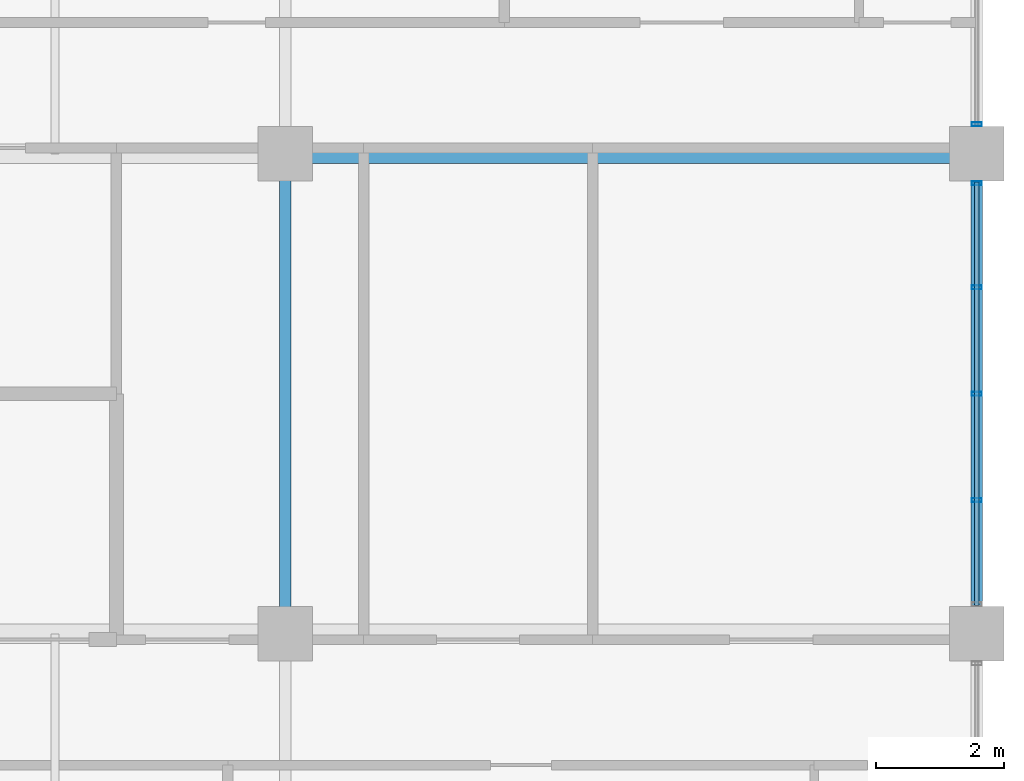
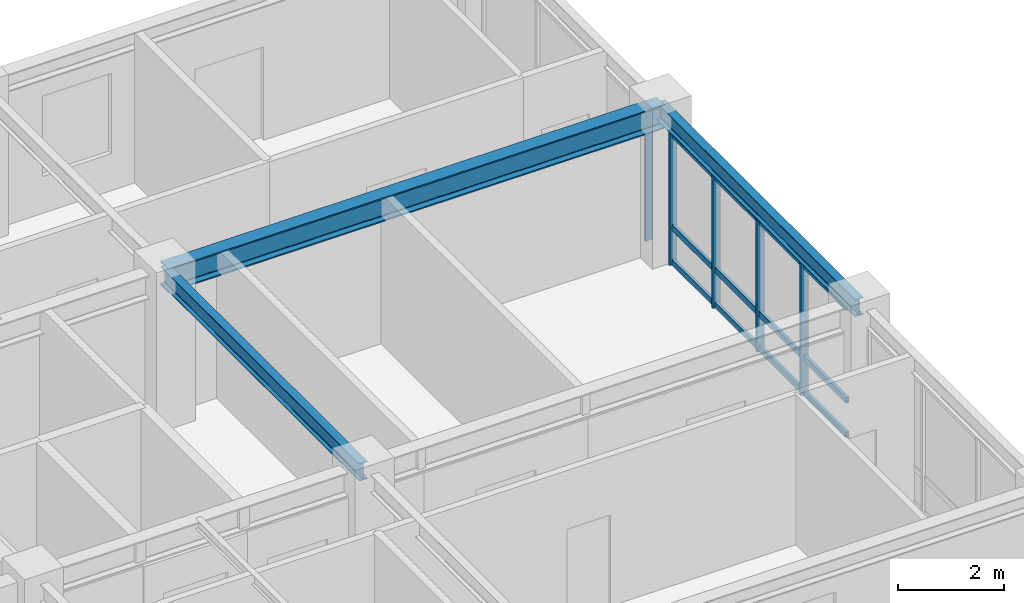
# One storey, part 3 of 10: 8 members, 3 beams, 2 elements without a shape of their own.
"""IFC4 building model written with IfcOpenShell, lengths in metres."""

import ifcopenshell
import ifcopenshell.guid

model = None  # the IFC model being written
_history = None  # IfcOwnerHistory: only IFC2X3 demands one
_inside = {}  # id of a spatial element -> (the spatial element, [elements in it])
_under = {}  # id of a project, library or spatial element -> (it, [spatial elements below it])
_declared = {}  # id of a project -> (the project, [libraries it declares])
_typed = {}  # id of a type object -> (the type object, [elements of that type])
_made_of = {}  # id of a material, layer set ... -> (it, [elements and type objects made of it])


def new_model(schema):
    """Start an empty IFC model of exactly this schema.

    Asked for "IFC4X3", IfcOpenShell would pick the latest addendum, in which some entities
    have other attributes; the version numbers below select the first issue.
    IFC2X3 requires an IfcOwnerHistory on every rooted entity: one is made here for all.
    """
    global model, _history
    if schema == "IFC4X3":
        model = ifcopenshell.file(schema_version=(4, 3, 0, 0))
    else:
        model = ifcopenshell.file(schema=schema)
    _inside.clear()
    _under.clear()
    _declared.clear()
    _typed.clear()
    _made_of.clear()
    _history = None
    if model.schema == "IFC2X3":
        org = make("IfcOrganization", Name="unknown")
        user = make(
            "IfcPersonAndOrganization",
            ThePerson=make("IfcPerson", FamilyName="unknown"),
            TheOrganization=org,
        )
        app = make(
            "IfcApplication",
            ApplicationDeveloper=org,
            Version="unknown",
            ApplicationFullName="unknown",
            ApplicationIdentifier="unknown",
        )
        _history = make(
            "IfcOwnerHistory",
            OwningUser=user,
            OwningApplication=app,
            ChangeAction="ADDED",
            CreationDate=0,
        )
    return model


def make(cls, **values):
    """One entity of the class cls with the attributes given. An attribute that is None is left unset."""
    return model.create_entity(
        cls, **{name: value for name, value in values.items() if value is not None}
    )


def rooted(cls, **values):
    """An entity with a GlobalId (a new one), such as an element, a storey or a relation."""
    return make(cls, GlobalId=ifcopenshell.guid.new(), OwnerHistory=_history, **values)


def si_unit(unit_type, name, prefix=None):
    """IfcSIUnit, for example si_unit("LENGTHUNIT", "METRE", prefix="MILLI")."""
    return make("IfcSIUnit", UnitType=unit_type, Prefix=prefix, Name=name)


def assignment(units):
    """IfcUnitAssignment: the units of a project."""
    return None if units is None else make("IfcUnitAssignment", Units=units)


def point(xyz):
    """IfcCartesianPoint."""
    return None if xyz is None else make("IfcCartesianPoint", Coordinates=xyz)


def direction(xyz):
    """IfcDirection."""
    return None if xyz is None else make("IfcDirection", DirectionRatios=xyz)


def frame(location, z_axis=None, x_axis=None):
    """IfcAxis2Placement3D, a coordinate frame: its origin and axes. An axis left out is left unset."""
    return make(
        "IfcAxis2Placement3D",
        Location=point(location),
        Axis=direction(z_axis),
        RefDirection=direction(x_axis),
    )


def frame_2d(location, x_axis=None):
    """IfcAxis2Placement2D, a coordinate frame in the plane: its origin and x axis."""
    return make(
        "IfcAxis2Placement2D", Location=point(location), RefDirection=direction(x_axis)
    )


def origin():
    """The frame at (0, 0, 0) with its axes left unset."""
    return frame((0.0, 0.0, 0.0))


def origin_2d():
    """The frame at (0, 0) in the plane with its x axis left unset."""
    return frame_2d((0.0, 0.0))


def place(relative_to, where):
    """IfcLocalPlacement: puts the frame where relative to a parent placement (None: the world)."""
    return make(
        "IfcLocalPlacement", PlacementRelTo=relative_to, RelativePlacement=where
    )


def context(
    kind, dimensions, precision=None, world=None, true_north=None, identifier=None
):
    """IfcGeometricRepresentationContext, for example the 3D "Model" context."""
    return make(
        "IfcGeometricRepresentationContext",
        ContextIdentifier=identifier,
        ContextType=kind,
        CoordinateSpaceDimension=dimensions,
        Precision=precision,
        WorldCoordinateSystem=world,
        TrueNorth=true_north,
    )


def subcontext(parent, identifier, kind, view, scale=None):
    """IfcGeometricRepresentationSubContext, for example "Body" below "Model"."""
    return make(
        "IfcGeometricRepresentationSubContext",
        ContextIdentifier=identifier,
        ContextType=kind,
        ParentContext=parent,
        TargetScale=scale,
        TargetView=view,
    )


def project(units=None, contexts=None):
    """IfcProject with its units and contexts."""
    return rooted(
        "IfcProject",
        Name="project",
        RepresentationContexts=contexts,
        UnitsInContext=assignment(units),
    )


def spatial(cls, under=None, at=None, **own):
    """A site, building, storey or space (cls), placed at a placement, below another one or the project."""
    s = rooted(cls, ObjectPlacement=at, **own)
    if under is not None:
        _under.setdefault(under.id(), (under, []))[1].append(s)
    return s


def profile(cls, at=None, kind="AREA", **sizes):
    """A parametric profile (cls). Its sizes go by their IFC names, for example OverallWidth=200.0."""
    return make(cls, ProfileType=kind, Position=at, **sizes)


def hollow_rectangle(**sizes):
    """IfcRectangleHollowProfileDef."""
    return profile("IfcRectangleHollowProfileDef", **sizes)


def i_section(**sizes):
    """IfcIShapeProfileDef."""
    return profile("IfcIShapeProfileDef", **sizes)


def extrude(swept, where, along, depth):
    """IfcExtrudedAreaSolid: the profile swept, set in the frame where, extruded along a direction by depth."""
    return make(
        "IfcExtrudedAreaSolid",
        SweptArea=swept,
        Position=where,
        ExtrudedDirection=direction(along),
        Depth=depth,
    )


def shape(context_of_items, identifier, shape_type, items):
    """IfcShapeRepresentation: the items that make up one representation, for example the "Body"."""
    return make(
        "IfcShapeRepresentation",
        ContextOfItems=context_of_items,
        RepresentationIdentifier=identifier,
        RepresentationType=shape_type,
        Items=items,
    )


def source(mapping_origin, context_of_items, identifier, shape_type, items):
    """IfcRepresentationMap: a shape defined once, which mapped items show again and again."""
    return make(
        "IfcRepresentationMap",
        MappingOrigin=mapping_origin,
        MappedRepresentation=shape(context_of_items, identifier, shape_type, items),
    )


def transform(
    local_origin,
    x_axis=None,
    y_axis=None,
    z_axis=None,
    scale=None,
    scale2=None,
    scale3=None,
    uniform=True,
):
    """IfcCartesianTransformationOperator3D, or its non-uniform kind. x_axis, y_axis, z_axis: its Axis1, 2, 3."""
    if uniform:
        return make(
            "IfcCartesianTransformationOperator3D",
            Axis1=direction(x_axis),
            Axis2=direction(y_axis),
            LocalOrigin=point(local_origin),
            Scale=scale,
            Axis3=direction(z_axis),
        )
    return make(
        "IfcCartesianTransformationOperator3DnonUniform",
        Axis1=direction(x_axis),
        Axis2=direction(y_axis),
        LocalOrigin=point(local_origin),
        Scale=scale,
        Axis3=direction(z_axis),
        Scale2=scale2,
        Scale3=scale3,
    )


def mapped(mapping_source, mapping_target):
    """IfcMappedItem: shows the shape of a source again, moved by a transform."""
    return make(
        "IfcMappedItem", MappingSource=mapping_source, MappingTarget=mapping_target
    )


def material(Name=None, Category=None):
    """IfcMaterial."""
    return make("IfcMaterial", Name=Name, Category=Category)


def layer(
    of_material, thickness, ventilated=None, Name=None, Category=None, Priority=None
):
    """IfcMaterialLayer: one layer of a wall or slab, of a material (None: an air gap)."""
    return make(
        "IfcMaterialLayer",
        Material=of_material,
        LayerThickness=thickness,
        IsVentilated=ventilated,
        Name=Name,
        Category=Category,
        Priority=Priority,
    )


def layer_set(layers, Name=None):
    """IfcMaterialLayerSet."""
    return make("IfcMaterialLayerSet", MaterialLayers=layers, LayerSetName=Name)


def material_profile(
    of_material, cross_section, Name=None, Category=None, Priority=None
):
    """IfcMaterialProfile: a cross section and its material."""
    return make(
        "IfcMaterialProfile",
        Name=Name,
        Material=of_material,
        Profile=cross_section,
        Priority=Priority,
        Category=Category,
    )


def profile_set(profiles, Name=None, composite=None):
    """IfcMaterialProfileSet."""
    return make(
        "IfcMaterialProfileSet",
        Name=Name,
        MaterialProfiles=profiles,
        CompositeProfile=composite,
    )


def made_of(thing, what):
    """Note that an element or type object is made of a material, layer set ...; save() writes the relation."""
    if what is not None:
        _made_of.setdefault(what.id(), (what, []))[1].append(thing)
    return thing


def type_object(cls, material=None, **own):
    """A type object (cls), such as IfcWallType, which elements share."""
    return made_of(rooted(cls, **own), material)


def element(
    cls,
    number,
    at=None,
    inside=None,
    cuts=None,
    type_object=None,
    material=None,
    context=None,
    identifier="Body",
    shape_type=None,
    held_by="IfcProductDefinitionShape",
    body=None,
    shapes=None,
    **own,
):
    """One element of the class cls, such as IfcWall. Its Tag is "e" and its number.

    at: its placement. inside: the storey or other place that contains it. cuts: it is an
    opening in that element (IfcRelVoidsElement). A single representation is given by context,
    identifier, shape_type and body (its items); several are given by shapes. held_by: the class
    of the entity that holds the representations. save() writes the other relations.
    """
    e = rooted(cls, Tag="e%d" % number, ObjectPlacement=at, **own)
    if body is not None:
        shapes = [shape(context, identifier, shape_type, body)]
    if shapes is not None:
        e.Representation = make(held_by, Representations=shapes)
    if inside is not None:
        _inside.setdefault(inside.id(), (inside, []))[1].append(e)
    if cuts is not None:
        rooted(
            "IfcRelVoidsElement", RelatingBuildingElement=cuts, RelatedOpeningElement=e
        )
    if type_object is not None:
        _typed.setdefault(type_object.id(), (type_object, []))[1].append(e)
    return made_of(e, material)


def aggregate(whole, parts):
    """IfcRelAggregates: a whole, such as a stair, and the parts it consists of."""
    return rooted("IfcRelAggregates", RelatingObject=whole, RelatedObjects=parts)


def save(model, path):
    """Write the relations noted so far, then the file.

    IfcRelAggregates (storeys below a building ...), IfcRelContainedInSpatialStructure (elements
    in a storey), IfcRelDefinesByType, IfcRelAssociatesMaterial and IfcRelDeclares: one each for
    every whole, place, type object, material and project.
    """
    for whole, parts in _under.values():
        aggregate(whole, parts)
    for where, things in _inside.values():
        rooted(
            "IfcRelContainedInSpatialStructure",
            RelatedElements=things,
            RelatingStructure=where,
        )
    for kind, things in _typed.values():
        rooted("IfcRelDefinesByType", RelatedObjects=things, RelatingType=kind)
    for what, things in _made_of.values():
        rooted("IfcRelAssociatesMaterial", RelatedObjects=things, RelatingMaterial=what)
    for by, libraries in _declared.values():
        rooted("IfcRelDeclares", RelatingContext=by, RelatedDefinitions=libraries)
    model.write(path)


model = new_model("IFC4")

# Units and contexts
model_context = context("Model", 3, precision=1e-05, world=origin(), true_north=direction((0.0, 1.0)))
body_context = subcontext(model_context, "Body", "Model", "MODEL_VIEW")
ifc_project = project(units=[si_unit("LENGTHUNIT", "METRE"), si_unit("AREAUNIT", "SQUARE_METRE"), si_unit("VOLUMEUNIT", "CUBIC_METRE"), si_unit("PLANEANGLEUNIT", "RADIAN"), si_unit("MASSUNIT", "GRAM", prefix="KILO")], contexts=[model_context])

# Site, building, storey
site_placement = place(None, origin())
site = spatial("IfcSite", under=ifc_project, at=site_placement, CompositionType="ELEMENT")
building_placement = place(site_placement, origin())
building = spatial("IfcBuilding", under=site, at=building_placement, Name="Kaliganga Portal Commons", CompositionType="ELEMENT")
storey_placement = place(building_placement, frame((0.0, 0.0, 279.5)))
storey = spatial("IfcBuildingStorey", under=building, at=storey_placement, Name="L72", CompositionType="ELEMENT", Elevation=279.5)

# Beams
ifc_material_1 = material(Name="Structural steel S355J2", Category="steel")
ifc_material_profile_1 = material_profile(ifc_material_1, i_section(OverallWidth=0.300048828125, OverallDepth=0.550048828125, WebThickness=0.014892578125, FlangeThickness=0.029052734375, FilletRadius=0.027099609375, at=origin_2d()), Name="HE 550 B")
ifc_profile_set_1 = profile_set([ifc_material_profile_1], Name="Structural steel S355J2 wide-flange")
beam_type_1 = type_object("IfcBeamType", Name="BM-GIRD-550", PredefinedType="USERDEFINED", material=ifc_profile_set_1)
shared_shape_1 = source(origin(), body_context, "Body", "SweptSolid", [
    extrude(i_section(OverallWidth=0.300048828125, OverallDepth=0.550048828125, WebThickness=0.014892578125, FlangeThickness=0.029052734375, FilletRadius=0.027099609375, at=origin_2d()), origin(), (0.0, 0.0, 1.0), 10.800048828125),
])
beam_placement = place(storey_placement, frame((36.0, 36.14990234375, 3.199951171875), z_axis=(1.0, 0.0, 0.0), x_axis=(0.0, 1.0, 0.0)))
element("IfcBeam", 1, at=beam_placement, inside=storey, type_object=beam_type_1, Name="BM G L72 WAE_N 2", ObjectType="GIRDER", PredefinedType="USERDEFINED", context=body_context, shape_type="MappedRepresentation", body=[
    mapped(shared_shape_1, transform((0.0, 0.0, 0.0), x_axis=(1.0, 0.0, 0.0), y_axis=(0.0, 1.0, 0.0), z_axis=(0.0, 0.0, 1.0), scale=1.0)),
])
ifc_material_profile_2 = material_profile(ifc_material_1, i_section(OverallWidth=0.179931640625, OverallDepth=0.39990234375, WebThickness=0.008544921875, FlangeThickness=0.013427734375, FilletRadius=0.02099609375, at=origin_2d()), Name="IPE 400")
ifc_profile_set_2 = profile_set([ifc_material_profile_2], Name="Structural steel S355J2 wide-flange")
beam_type_2 = type_object("IfcBeamType", Name="BM-FLR-400", PredefinedType="BEAM", material=ifc_profile_set_2)
shared_shape_2 = source(origin(), body_context, "Body", "SweptSolid", [
    extrude(i_section(OverallWidth=0.179931640625, OverallDepth=0.39990234375, WebThickness=0.008544921875, FlangeThickness=0.013427734375, FilletRadius=0.02099609375, at=origin_2d()), origin(), (0.0, 0.0, 1.0), 7.5),
])
for number, where, z_axis, x_axis, name in (
    (2, (36.0, 28.64990234375, 3.27490234375), (0.0, 1.0, 0.0), (-1.0, 0.0, 0.0), "BM G L72 AM360"),
    (3, (46.800048828125, 28.64990234375, 3.27490234375), (0.0, 1.0, 0.0), (-1.0, 0.0, 0.0), "BM G L72 AM468"),
):
    element("IfcBeam", number, at=place(storey_placement, frame(where, z_axis=z_axis, x_axis=x_axis)), inside=storey, type_object=beam_type_2, Name=name, PredefinedType="BEAM", context=body_context, shape_type="MappedRepresentation", body=[
        mapped(shared_shape_2, transform((0.0, 0.0, 0.0), x_axis=(1.0, 0.0, 0.0), y_axis=(0.0, 1.0, 0.0), z_axis=(0.0, 0.0, 1.0), scale=1.0)),
    ])

# Curtain wall, members
ifc_material_2 = material(Name="Anodized Aluminium and Laminated Low-E Glass", Category="aluminium")
ifc_layer = layer(ifc_material_2, 0.18994140625)
ifc_layer_set = layer_set([ifc_layer], Name="Anodized Aluminium and Laminated Low-E Glass")
curtain_wall_type = type_object("IfcCurtainWallType", Name="CW-SYS-05", PredefinedType="NOTDEFINED", material=ifc_layer_set)
curtain_wall_1_placement = place(storey_placement, origin())
curtain_wall_1 = element("IfcCurtainWall", 4, at=curtain_wall_1_placement, inside=storey, type_object=curtain_wall_type, Name="CW 05 L72 P1E01S2", PredefinedType="NOTDEFINED")
ifc_material_3 = material(Name="Dark Bronze Anodized Aluminium", Category="aluminium")
ifc_material_profile_3 = material_profile(ifc_material_3, hollow_rectangle(XDim=0.06005859375, YDim=0.159912109375, WallThickness=0.00341796875, at=origin_2d()), Name="ALU MULL 60x160x3.5")
ifc_profile_set_3 = profile_set([ifc_material_profile_3], Name="Dark Bronze Anodized Aluminium")
member_type_1 = type_object("IfcMemberType", Name="CW-MUL-160", PredefinedType="MULLION", material=ifc_profile_set_3)
shared_shape_3 = source(origin(), body_context, "Body", "SweptSolid", [
    extrude(hollow_rectangle(XDim=0.06005859375, YDim=0.159912109375, WallThickness=0.00341796875, at=origin_2d()), origin(), (0.0, 0.0, 1.0), 3.074951171875),
])
member_1_placement = place(storey_placement, frame((46.800048828125, 30.738037109375, 0.0), z_axis=(0.0, 0.0, 1.0), x_axis=(0.0, 1.0, 0.0)))
member_1 = element("IfcMember", 5, at=member_1_placement, type_object=member_type_1, Name="CW:05:L72:P1E01S2 Mullion 01", PredefinedType="MULLION", context=body_context, shape_type="MappedRepresentation", body=[
    mapped(shared_shape_3, transform((0.0, 0.0, 0.0), x_axis=(1.0, 0.0, 0.0), y_axis=(0.0, 1.0, 0.0), z_axis=(0.0, 0.0, 1.0), scale=1.0)),
])
member_2_placement = place(storey_placement, frame((46.800048828125, 32.39990234375, 0.0), z_axis=(0.0, 0.0, 1.0), x_axis=(0.0, 1.0, 0.0)))
member_2 = element("IfcMember", 6, at=member_2_placement, type_object=member_type_1, Name="CW:05:L72:P1E01S2 Mullion 02", PredefinedType="MULLION", context=body_context, shape_type="MappedRepresentation", body=[
    mapped(shared_shape_3, transform((0.0, 0.0, 0.0), x_axis=(1.0, 0.0, 0.0), y_axis=(0.0, 1.0, 0.0), z_axis=(0.0, 0.0, 1.0), scale=1.0)),
])
member_3_placement = place(storey_placement, frame((46.800048828125, 34.06201171875, 0.0), z_axis=(0.0, 0.0, 1.0), x_axis=(0.0, 1.0, 0.0)))
member_3 = element("IfcMember", 7, at=member_3_placement, type_object=member_type_1, Name="CW:05:L72:P1E01S2 Mullion 03", PredefinedType="MULLION", context=body_context, shape_type="MappedRepresentation", body=[
    mapped(shared_shape_3, transform((0.0, 0.0, 0.0), x_axis=(1.0, 0.0, 0.0), y_axis=(0.0, 1.0, 0.0), z_axis=(0.0, 0.0, 1.0), scale=1.0)),
])
member_4_placement = place(storey_placement, frame((46.800048828125, 35.68896484375, 0.0), z_axis=(0.0, 0.0, 1.0), x_axis=(0.0, 1.0, 0.0)))
member_4 = element("IfcMember", 8, at=member_4_placement, type_object=member_type_1, Name="CW:05:L72:P1E01S2 Mullion 04", PredefinedType="MULLION", context=body_context, shape_type="MappedRepresentation", body=[
    mapped(shared_shape_3, transform((0.0, 0.0, 0.0), x_axis=(1.0, 0.0, 0.0), y_axis=(0.0, 1.0, 0.0), z_axis=(0.0, 0.0, 1.0), scale=1.0)),
])

# Curtain wall, member
curtain_wall_2_placement = place(storey_placement, origin())
curtain_wall_2 = element("IfcCurtainWall", 9, at=curtain_wall_2_placement, inside=storey, type_object=curtain_wall_type, Name="CW 05 L72 P1E01S3", PredefinedType="NOTDEFINED")
member_5_placement = place(storey_placement, frame((46.800048828125, 36.611083984375, 0.0), z_axis=(0.0, 0.0, 1.0), x_axis=(0.0, 1.0, 0.0)))
member_5 = element("IfcMember", 10, at=member_5_placement, type_object=member_type_1, Name="CW:05:L72:P1E01S3 Mullion 00", PredefinedType="MULLION", context=body_context, shape_type="MappedRepresentation", body=[
    mapped(shared_shape_3, transform((0.0, 0.0, 0.0), x_axis=(1.0, 0.0, 0.0), y_axis=(0.0, 1.0, 0.0), z_axis=(0.0, 0.0, 1.0), scale=1.0)),
])
aggregate(curtain_wall_2, [member_5])

# Member
ifc_material_profile_4 = material_profile(ifc_material_3, hollow_rectangle(XDim=0.06494140625, YDim=0.135009765625, WallThickness=0.00341796875, at=origin_2d()), Name="ALU TRAN 65x135x3.5")
ifc_profile_set_4 = profile_set([ifc_material_profile_4], Name="Dark Bronze Anodized Aluminium")
member_type_2 = type_object("IfcMemberType", Name="CW-TRN-135", PredefinedType="USERDEFINED", material=ifc_profile_set_4)
shared_shape_4 = source(origin(), body_context, "Body", "SweptSolid", [
    extrude(hollow_rectangle(XDim=0.06494140625, YDim=0.135009765625, WallThickness=0.00341796875, at=origin_2d()), origin(), (0.0, 0.0, 1.0), 6.608154296875),
])
member_6_placement = place(storey_placement, frame((46.800048828125, 29.095947265625, 0.06005859375), z_axis=(0.0, 1.0, 0.0), x_axis=(-1.0, 0.0, 0.0)))
member_6 = element("IfcMember", 11, at=member_6_placement, type_object=member_type_2, Name="CW:05:L72:P1E01S2 Transom 1", ObjectType="TRANSOM", PredefinedType="USERDEFINED", context=body_context, shape_type="MappedRepresentation", body=[
    mapped(shared_shape_4, transform((0.0, 0.0, 0.0), x_axis=(1.0, 0.0, 0.0), y_axis=(0.0, 1.0, 0.0), z_axis=(0.0, 0.0, 1.0), scale=1.0)),
])

member_7_placement = place(storey_placement, frame((46.800048828125, 29.095947265625, 0.861083984375), z_axis=(0.0, 1.0, 0.0), x_axis=(-1.0, 0.0, 0.0)))
member_7 = element("IfcMember", 12, at=member_7_placement, type_object=member_type_2, Name="CW:05:L72:P1E01S2 Transom 2", ObjectType="TRANSOM", PredefinedType="USERDEFINED", context=body_context, shape_type="MappedRepresentation", body=[
    mapped(shared_shape_4, transform((0.0, 0.0, 0.0), x_axis=(1.0, 0.0, 0.0), y_axis=(0.0, 1.0, 0.0), z_axis=(0.0, 0.0, 1.0), scale=1.0)),
])

member_8_placement = place(storey_placement, frame((46.800048828125, 29.095947265625, 2.9951171875), z_axis=(0.0, 1.0, 0.0), x_axis=(-1.0, 0.0, 0.0)))
member_8 = element("IfcMember", 13, at=member_8_placement, type_object=member_type_2, Name="CW:05:L72:P1E01S2 Transom 3", ObjectType="TRANSOM", PredefinedType="USERDEFINED", context=body_context, shape_type="MappedRepresentation", body=[
    mapped(shared_shape_4, transform((0.0, 0.0, 0.0), x_axis=(1.0, 0.0, 0.0), y_axis=(0.0, 1.0, 0.0), z_axis=(0.0, 0.0, 1.0), scale=1.0)),
])

aggregate(curtain_wall_1, [member_1, member_2, member_3, member_4, member_6, member_7, member_8])

save(model, "model.ifc")
